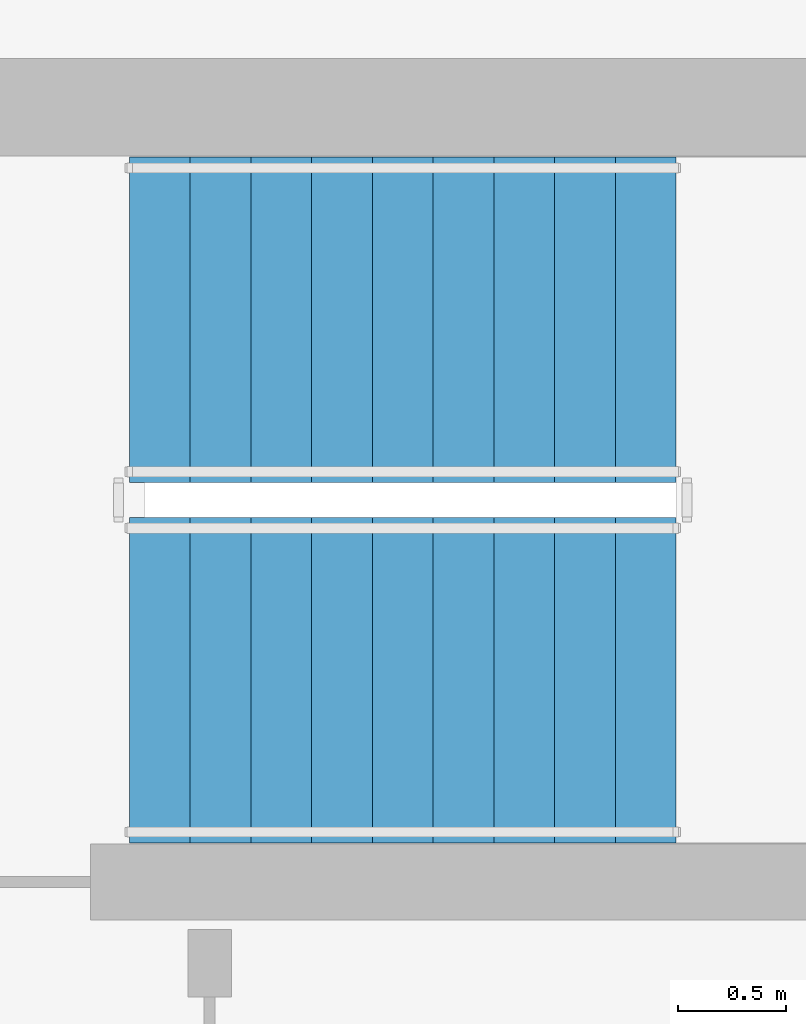
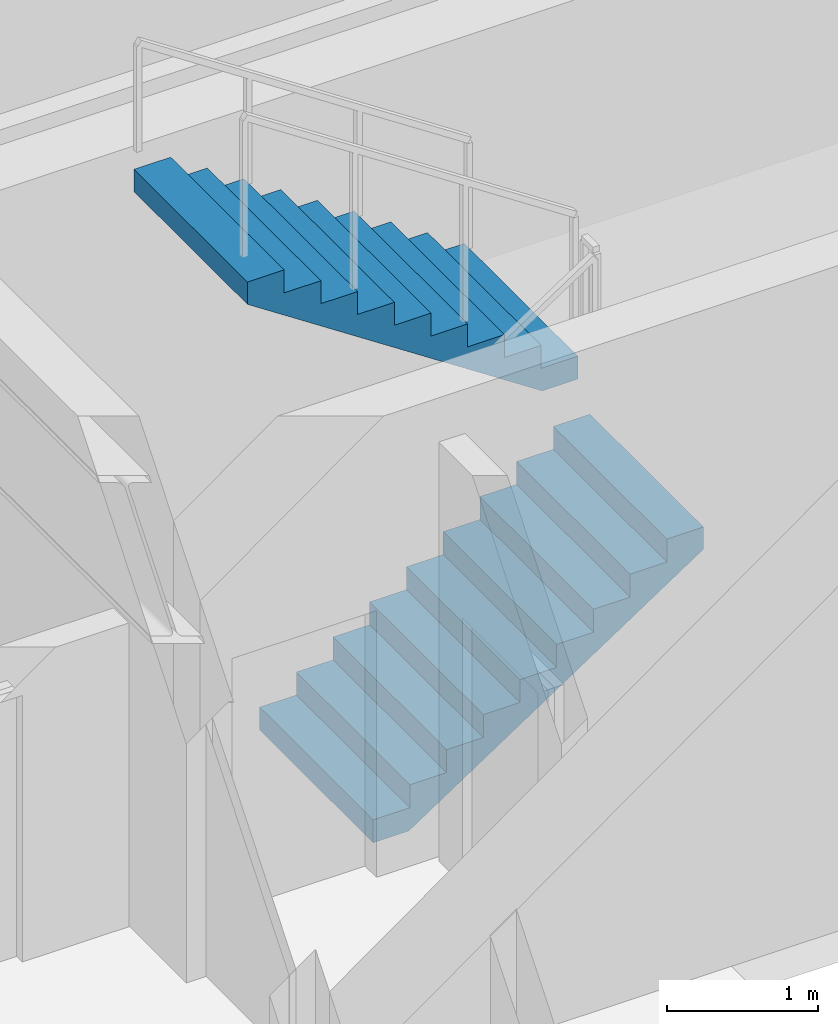
# One storey, part 9 of 11: 2 stair flights, 1 element without a shape of its own.
"""IFC4 building model written with IfcOpenShell, lengths in metres."""

from ifc_helpers import new_model, si_unit, direction, frame, origin, place, context, subcontext, project, spatial, polyline, outline, extrude, material, layer, layer_set, type_object, element, aggregate, save


model = new_model("IFC4")

# Units and contexts
model_context = context("Model", 3, precision=1e-05, world=origin(), true_north=direction((0.0, 1.0)))
body_context = subcontext(model_context, "Body", "Model", "MODEL_VIEW")
ifc_project = project(units=[si_unit("LENGTHUNIT", "METRE"), si_unit("AREAUNIT", "SQUARE_METRE"), si_unit("VOLUMEUNIT", "CUBIC_METRE"), si_unit("PLANEANGLEUNIT", "RADIAN"), si_unit("MASSUNIT", "GRAM", prefix="KILO")], contexts=[model_context])

# Site, building, storey
site_placement = place(None, origin())
site = spatial("IfcSite", under=ifc_project, at=site_placement, CompositionType="ELEMENT")
building_placement = place(site_placement, origin())
building = spatial("IfcBuilding", under=site, at=building_placement, Name="Zarnavel Station Tower", CompositionType="ELEMENT")
storey_placement = place(building_placement, frame((0.0, 0.0, 276.89990234375)))
storey = spatial("IfcBuildingStorey", under=building, at=storey_placement, Name="L75", CompositionType="ELEMENT", Elevation=276.89990234375)

# Stair, stair flights
ifc_material_1 = material(Name="Concrete C45/55", Category="concrete")
stair_type = type_object("IfcStairType", Name="ST_CORE_150", PredefinedType="HALF_TURN_STAIR", material=ifc_material_1)
stair_placement = place(storey_placement, origin())
stair = element("IfcStair", 1, at=stair_placement, inside=storey, type_object=stair_type, Name="L75 Core Exit Stair ST2", PredefinedType="HALF_TURN_STAIR")
ifc_material_2 = material(Name="Concrete C45/55", Category="concrete")
ifc_layer = layer(ifc_material_2, 0.179931640625)
ifc_layer_set = layer_set([ifc_layer], Name="ST_CORE_150_FLT")
stair_flight_type = type_object("IfcStairFlightType", Name="ST_CORE_150_FLT", PredefinedType="STRAIGHT", material=ifc_layer_set)
stair_flight_1_placement = place(storey_placement, frame((38.080078125, 34.409912109375, 0.0), z_axis=(0.0, 0.0, 1.0), x_axis=(1.0, 0.0, 0.0)))
stair_flight_1 = element("IfcStairFlight", 2, at=stair_flight_1_placement, type_object=stair_flight_type, Name="ST2 flight 1", NumberOfRisers=10, NumberOfTreads=9, PredefinedType="STRAIGHT", RiserHeight=0.185, TreadLength=0.28, context=body_context, shape_type="SweptSolid", body=[
    extrude(outline(polyline([(0.0, 0.0), (0.0, 0.18505859375), (0.280029296875, 0.18505859375), (0.280029296875, 0.3701171875), (0.56005859375, 0.3701171875), (0.56005859375, 0.554931640625), (0.840087890625, 0.554931640625), (0.840087890625, 0.739990234375), (1.1201171875, 0.739990234375), (1.1201171875, 0.925048828125), (1.39990234375, 0.925048828125), (1.39990234375, 1.110107421875), (1.679931640625, 1.110107421875), (1.679931640625, 1.294921875), (1.9599609375, 1.294921875), (1.9599609375, 1.47998046875), (2.239990234375, 1.47998046875), (2.239990234375, 1.6650390625), (2.52001953125, 1.6650390625), (2.52001953125, 1.85009765625), (2.52001953125, 1.4853515625), (0.27197265625, 0.0), (0.0, 0.0)])), frame((0.0, 0.75, 0.0), z_axis=(0.0, -1.0, 0.0), x_axis=(1.0, 0.0, 0.0)), (0.0, 0.0, 1.0), 1.5),
])
stair_flight_2_placement = place(storey_placement, frame((40.60009765625, 36.070068359375, 1.85009765625), z_axis=(0.0, 0.0, 1.0), x_axis=(-1.0, 0.0, 0.0)))
stair_flight_2 = element("IfcStairFlight", 3, at=stair_flight_2_placement, type_object=stair_flight_type, Name="ST2 flight 2", NumberOfRisers=10, NumberOfTreads=9, PredefinedType="STRAIGHT", RiserHeight=0.185, TreadLength=0.28, context=body_context, shape_type="SweptSolid", body=[
    extrude(outline(polyline([(0.0, 0.0), (0.0, 0.18505859375), (0.280029296875, 0.18505859375), (0.280029296875, 0.3701171875), (0.56005859375, 0.3701171875), (0.56005859375, 0.554931640625), (0.840087890625, 0.554931640625), (0.840087890625, 0.739990234375), (1.1201171875, 0.739990234375), (1.1201171875, 0.925048828125), (1.39990234375, 0.925048828125), (1.39990234375, 1.110107421875), (1.679931640625, 1.110107421875), (1.679931640625, 1.294921875), (1.9599609375, 1.294921875), (1.9599609375, 1.47998046875), (2.239990234375, 1.47998046875), (2.239990234375, 1.6650390625), (2.52001953125, 1.6650390625), (2.52001953125, 1.85009765625), (2.52001953125, 1.4853515625), (0.27197265625, 0.0), (0.0, 0.0)])), frame((0.0, 0.75, 0.0), z_axis=(0.0, -1.0, 0.0), x_axis=(1.0, 0.0, 0.0)), (0.0, 0.0, 1.0), 1.5),
])
aggregate(stair, [stair_flight_1, stair_flight_2])

save(model, "model.ifc")
